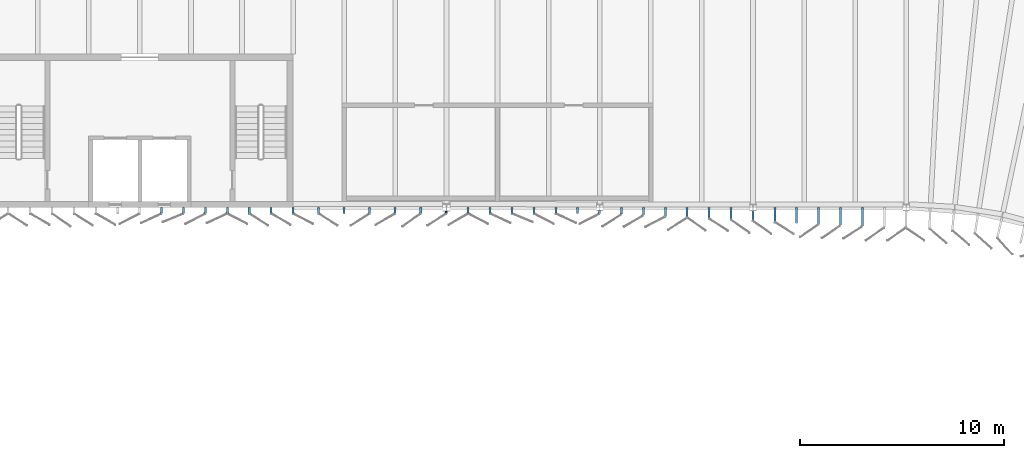
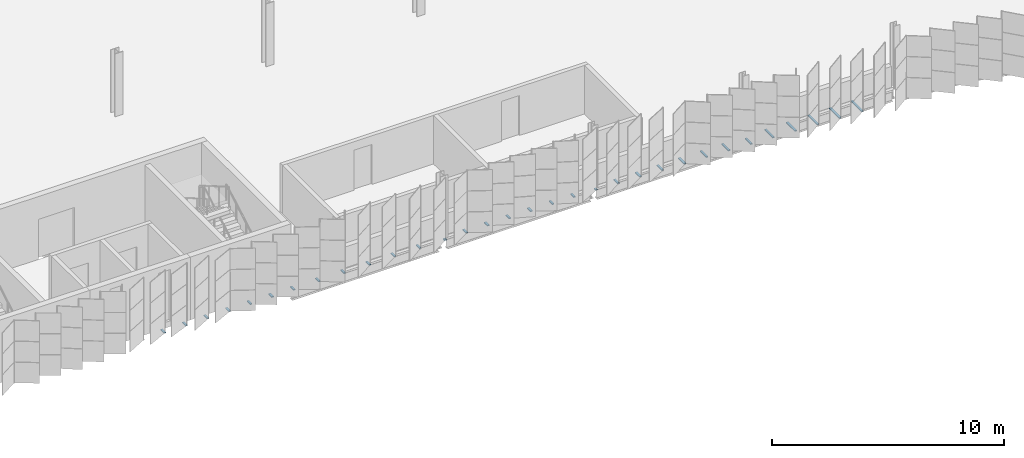
# One storey, part 185 of 214: 32 discrete accessories.
"""IFC4 building model written with IfcOpenShell, lengths in metres."""

from ifc_helpers import new_model, si_unit, direction, frame, origin, origin_2d, place, context, subcontext, project, spatial, rectangle, extrude, material, type_object, element, save


model = new_model("IFC4")

# Units and contexts
model_context = context("Model", 3, precision=1e-05, world=origin(), true_north=direction((0.0, 1.0)))
body_context = subcontext(model_context, "Body", "Model", "MODEL_VIEW")
ifc_project = project(units=[si_unit("LENGTHUNIT", "METRE"), si_unit("AREAUNIT", "SQUARE_METRE"), si_unit("VOLUMEUNIT", "CUBIC_METRE"), si_unit("PLANEANGLEUNIT", "RADIAN"), si_unit("MASSUNIT", "GRAM", prefix="KILO")], contexts=[model_context])

# Site, building, storey
site_placement = place(None, origin())
site = spatial("IfcSite", under=ifc_project, at=site_placement, CompositionType="ELEMENT")
building_placement = place(site_placement, origin())
building = spatial("IfcBuilding", under=site, at=building_placement, Name="Parallax Yard Mobility Hub", CompositionType="ELEMENT")
storey_placement = place(building_placement, frame((0.0, 0.0, 3.300048828125)))
storey = spatial("IfcBuildingStorey", under=building, at=storey_placement, Name="L01", CompositionType="ELEMENT", Elevation=3.300048828125)

# Discrete accessories
ifc_material = material(Name="Steel ASTM A36, hot-dip galvanised", Category="steel")
discrete_accessory_type = type_object("IfcDiscreteAccessoryType", Name="Hinge bracket plate 100x50", PredefinedType="BRACKET", material=ifc_material)
for number, where, z_axis, x_axis, name in (
    (1, (136.064697265625, 112.3583984375, -0.02490234375), (0.0, 0.0, 1.0), (0.0, -1.0, 0.0), "Hinge bracket plate bay 13.9 level L01"),
    (2, (137.136962890625, 112.3583984375, -0.02490234375), (0.0, 0.0, 1.0), (0.0, -1.0, 0.0), "Hinge bracket plate bay 13.10 level L01"),
    (3, (138.209228515625, 112.3583984375, -0.02490234375), (0.0, 0.0, 1.0), (0.0, -1.0, 0.0), "Hinge bracket plate bay 13.11 level L01"),
    (4, (139.281494140625, 112.3583984375, -0.02490234375), (0.0, 0.0, 1.0), (0.0, -1.0, 0.0), "Hinge bracket plate bay 13.12 level L01"),
    (5, (140.353515625, 112.3583984375, -0.02490234375), (0.0, 0.0, 1.0), (0.0, -1.0, 0.0), "Hinge bracket plate bay 13.13 level L01"),
    (6, (141.42578125, 112.3583984375, -0.02490234375), (0.0, 0.0, 1.0), (0.0, -1.0, 0.0), "Hinge bracket plate bay 13.14 level L01"),
    (7, (142.498046875, 112.3583984375, -0.02490234375), (0.0, 0.0, 1.0), (0.0, -1.0, 0.0), "Hinge bracket plate bay 14.1 level L01"),
    (8, (143.747314453125, 112.3583984375, -0.02490234375), (0.0, 0.0, 1.0), (0.0, -1.0, 0.0), "Hinge bracket plate bay 14.2 level L01"),
    (9, (144.99658203125, 112.3583984375, -0.02490234375), (0.0, 0.0, 1.0), (0.0, -1.0, 0.0), "Hinge bracket plate bay 14.3 level L01"),
    (10, (146.245849609375, 112.3583984375, -0.02490234375), (0.0, 0.0, 1.0), (0.0, -1.0, 0.0), "Hinge bracket plate bay 14.4 level L01"),
    (11, (147.4951171875, 112.3583984375, -0.02490234375), (0.0, 0.0, 1.0), (0.0, -1.0, 0.0), "Hinge bracket plate bay 14.5 level L01"),
    (12, (148.744384765625, 112.3583984375, -0.02490234375), (0.0, 0.0, 1.0), (0.0, -1.0, 0.0), "Hinge bracket plate bay 14.6 level L01"),
):
    element("IfcDiscreteAccessory", number, at=place(storey_placement, frame(where, z_axis=z_axis, x_axis=x_axis)), inside=storey, type_object=discrete_accessory_type, Name=name, PredefinedType="BRACKET", context=body_context, shape_type="SweptSolid", body=[
        extrude(rectangle(XDim=0.2841796875, YDim=0.10009765625, at=origin_2d()), origin(), (0.0, 0.0, 1.0), 0.050048828125),
    ])
discrete_accessory_1_placement = place(storey_placement, frame((149.993408203125, 112.26513671875, -0.02490234375), z_axis=(0.0, 0.0, 1.0), x_axis=(0.0, -1.0, 0.0)))
element("IfcDiscreteAccessory", 13, at=discrete_accessory_1_placement, inside=storey, type_object=discrete_accessory_type, Name="Hinge bracket plate bay 15.1 level L01", PredefinedType="BRACKET", context=body_context, shape_type="SweptSolid", body=[
    extrude(rectangle(XDim=0.09765625, YDim=0.10009765625, at=origin_2d()), origin(), (0.0, 0.0, 1.0), 0.050048828125),
])
for number, where, z_axis, x_axis, name in (
    (14, (151.06494140625, 112.3583984375, -0.02490234375), (0.0, 0.0, 1.0), (0.0, -1.0, 0.0), "Hinge bracket plate bay 15.2 level L01"),
    (15, (152.136474609375, 112.3583984375, -0.02490234375), (0.0, 0.0, 1.0), (0.0, -1.0, 0.0), "Hinge bracket plate bay 15.3 level L01"),
    (16, (153.2080078125, 112.3583984375, -0.02490234375), (0.0, 0.0, 1.0), (0.0, -1.0, 0.0), "Hinge bracket plate bay 15.4 level L01"),
    (17, (154.279541015625, 112.3583984375, -0.02490234375), (0.0, 0.0, 1.0), (0.0, -1.0, 0.0), "Hinge bracket plate bay 15.5 level L01"),
    (18, (155.35107421875, 112.3583984375, -0.02490234375), (0.0, 0.0, 1.0), (0.0, -1.0, 0.0), "Hinge bracket plate bay 15.6 level L01"),
    (19, (156.422607421875, 112.3583984375, -0.02490234375), (0.0, 0.0, 1.0), (0.0, -1.0, 0.0), "Hinge bracket plate bay 15.7 level L01"),
):
    element("IfcDiscreteAccessory", number, at=place(storey_placement, frame(where, z_axis=z_axis, x_axis=x_axis)), inside=storey, type_object=discrete_accessory_type, Name=name, PredefinedType="BRACKET", context=body_context, shape_type="SweptSolid", body=[
        extrude(rectangle(XDim=0.2841796875, YDim=0.10009765625, at=origin_2d()), origin(), (0.0, 0.0, 1.0), 0.050048828125),
    ])
discrete_accessory_2_placement = place(storey_placement, frame((157.494140625, 112.280517578125, -0.02490234375), z_axis=(0.0, 0.0, 1.0), x_axis=(0.0, -1.0, 0.0)))
element("IfcDiscreteAccessory", 20, at=discrete_accessory_2_placement, inside=storey, type_object=discrete_accessory_type, Name="Hinge bracket plate bay 16.1 level L01", PredefinedType="BRACKET", context=body_context, shape_type="SweptSolid", body=[
    extrude(rectangle(XDim=0.128173828125, YDim=0.10009765625, at=origin_2d()), origin(), (0.0, 0.0, 1.0), 0.050048828125),
])
discrete_accessory_3_placement = place(storey_placement, frame((158.565673828125, 112.337890625, -0.02490234375), z_axis=(0.0, 0.0, 1.0), x_axis=(0.0, -1.0, 0.0)))
element("IfcDiscreteAccessory", 21, at=discrete_accessory_3_placement, inside=storey, type_object=discrete_accessory_type, Name="Hinge bracket plate bay 16.2 level L01", PredefinedType="BRACKET", context=body_context, shape_type="SweptSolid", body=[
    extrude(rectangle(XDim=0.3251953125, YDim=0.10009765625, at=origin_2d()), origin(), (0.0, 0.0, 1.0), 0.050048828125),
])
discrete_accessory_4_placement = place(storey_placement, frame((159.63720703125, 112.31103515625, -0.02490234375), z_axis=(0.0, 0.0, 1.0), x_axis=(0.0, -1.0, 0.0)))
element("IfcDiscreteAccessory", 22, at=discrete_accessory_4_placement, inside=storey, type_object=discrete_accessory_type, Name="Hinge bracket plate bay 16.3 level L01", PredefinedType="BRACKET", context=body_context, shape_type="SweptSolid", body=[
    extrude(rectangle(XDim=0.37890625, YDim=0.10009765625, at=origin_2d()), origin(), (0.0, 0.0, 1.0), 0.050048828125),
])
discrete_accessory_5_placement = place(storey_placement, frame((160.70849609375, 112.2841796875, -0.02490234375), z_axis=(0.0, 0.0, 1.0), x_axis=(0.0, -1.0, 0.0)))
element("IfcDiscreteAccessory", 23, at=discrete_accessory_5_placement, inside=storey, type_object=discrete_accessory_type, Name="Hinge bracket plate bay 16.4 level L01", PredefinedType="BRACKET", context=body_context, shape_type="SweptSolid", body=[
    extrude(rectangle(XDim=0.432373046875, YDim=0.10009765625, at=origin_2d()), origin(), (0.0, 0.0, 1.0), 0.050048828125),
])
discrete_accessory_6_placement = place(storey_placement, frame((161.780029296875, 112.257568359375, -0.02490234375), z_axis=(0.0, 0.0, 1.0), x_axis=(0.0, -1.0, 0.0)))
element("IfcDiscreteAccessory", 24, at=discrete_accessory_6_placement, inside=storey, type_object=discrete_accessory_type, Name="Hinge bracket plate bay 16.5 level L01", PredefinedType="BRACKET", context=body_context, shape_type="SweptSolid", body=[
    extrude(rectangle(XDim=0.48583984375, YDim=0.10009765625, at=origin_2d()), origin(), (0.0, 0.0, 1.0), 0.050048828125),
])
discrete_accessory_7_placement = place(storey_placement, frame((162.8515625, 112.230712890625, -0.02490234375), z_axis=(0.0, 0.0, 1.0), x_axis=(0.0, -1.0, 0.0)))
element("IfcDiscreteAccessory", 25, at=discrete_accessory_7_placement, inside=storey, type_object=discrete_accessory_type, Name="Hinge bracket plate bay 16.6 level L01", PredefinedType="BRACKET", context=body_context, shape_type="SweptSolid", body=[
    extrude(rectangle(XDim=0.53955078125, YDim=0.10009765625, at=origin_2d()), origin(), (0.0, 0.0, 1.0), 0.050048828125),
])
discrete_accessory_8_placement = place(storey_placement, frame((163.923095703125, 112.2041015625, -0.02490234375), z_axis=(0.0, 0.0, 1.0), x_axis=(0.0, -1.0, 0.0)))
element("IfcDiscreteAccessory", 26, at=discrete_accessory_8_placement, inside=storey, type_object=discrete_accessory_type, Name="Hinge bracket plate bay 16.7 level L01", PredefinedType="BRACKET", context=body_context, shape_type="SweptSolid", body=[
    extrude(rectangle(XDim=0.593017578125, YDim=0.10009765625, at=origin_2d()), origin(), (0.0, 0.0, 1.0), 0.050048828125),
])
discrete_accessory_9_placement = place(storey_placement, frame((164.99462890625, 112.09912109375, -0.02490234375), z_axis=(0.0, 0.0, 1.0), x_axis=(0.0, -1.0, 0.0)))
element("IfcDiscreteAccessory", 27, at=discrete_accessory_9_placement, inside=storey, type_object=discrete_accessory_type, Name="Hinge bracket plate bay 17.1 level L01", PredefinedType="BRACKET", context=body_context, shape_type="SweptSolid", body=[
    extrude(rectangle(XDim=0.490478515625, YDim=0.10009765625, at=origin_2d()), origin(), (0.0, 0.0, 1.0), 0.050048828125),
])
discrete_accessory_10_placement = place(storey_placement, frame((166.066162109375, 112.150390625, -0.02490234375), z_axis=(0.0, 0.0, 1.0), x_axis=(0.0, -1.0, 0.0)))
element("IfcDiscreteAccessory", 28, at=discrete_accessory_10_placement, inside=storey, type_object=discrete_accessory_type, Name="Hinge bracket plate bay 17.2 level L01", PredefinedType="BRACKET", context=body_context, shape_type="SweptSolid", body=[
    extrude(rectangle(XDim=0.7001953125, YDim=0.10009765625, at=origin_2d()), origin(), (0.0, 0.0, 1.0), 0.050048828125),
])
discrete_accessory_11_placement = place(storey_placement, frame((167.1376953125, 112.12353515625, -0.02490234375), z_axis=(0.0, 0.0, 1.0), x_axis=(0.0, -1.0, 0.0)))
element("IfcDiscreteAccessory", 29, at=discrete_accessory_11_placement, inside=storey, type_object=discrete_accessory_type, Name="Hinge bracket plate bay 17.3 level L01", PredefinedType="BRACKET", context=body_context, shape_type="SweptSolid", body=[
    extrude(rectangle(XDim=0.75390625, YDim=0.10009765625, at=origin_2d()), origin(), (0.0, 0.0, 1.0), 0.050048828125),
])
discrete_accessory_12_placement = place(storey_placement, frame((168.208984375, 112.0966796875, -0.02490234375), z_axis=(0.0, 0.0, 1.0), x_axis=(0.0, -1.0, 0.0)))
element("IfcDiscreteAccessory", 30, at=discrete_accessory_12_placement, inside=storey, type_object=discrete_accessory_type, Name="Hinge bracket plate bay 17.4 level L01", PredefinedType="BRACKET", context=body_context, shape_type="SweptSolid", body=[
    extrude(rectangle(XDim=0.807373046875, YDim=0.10009765625, at=origin_2d()), origin(), (0.0, 0.0, 1.0), 0.050048828125),
])
discrete_accessory_13_placement = place(storey_placement, frame((169.280517578125, 112.070068359375, -0.02490234375), z_axis=(0.0, 0.0, 1.0), x_axis=(0.0, -1.0, 0.0)))
element("IfcDiscreteAccessory", 31, at=discrete_accessory_13_placement, inside=storey, type_object=discrete_accessory_type, Name="Hinge bracket plate bay 17.5 level L01", PredefinedType="BRACKET", context=body_context, shape_type="SweptSolid", body=[
    extrude(rectangle(XDim=0.86083984375, YDim=0.10009765625, at=origin_2d()), origin(), (0.0, 0.0, 1.0), 0.050048828125),
])
discrete_accessory_14_placement = place(storey_placement, frame((170.35205078125, 112.043212890625, -0.02490234375), z_axis=(0.0, 0.0, 1.0), x_axis=(0.0, -1.0, 0.0)))
element("IfcDiscreteAccessory", 32, at=discrete_accessory_14_placement, inside=storey, type_object=discrete_accessory_type, Name="Hinge bracket plate bay 17.6 level L01", PredefinedType="BRACKET", context=body_context, shape_type="SweptSolid", body=[
    extrude(rectangle(XDim=0.91455078125, YDim=0.10009765625, at=origin_2d()), origin(), (0.0, 0.0, 1.0), 0.050048828125),
])

save(model, "model.ifc")
